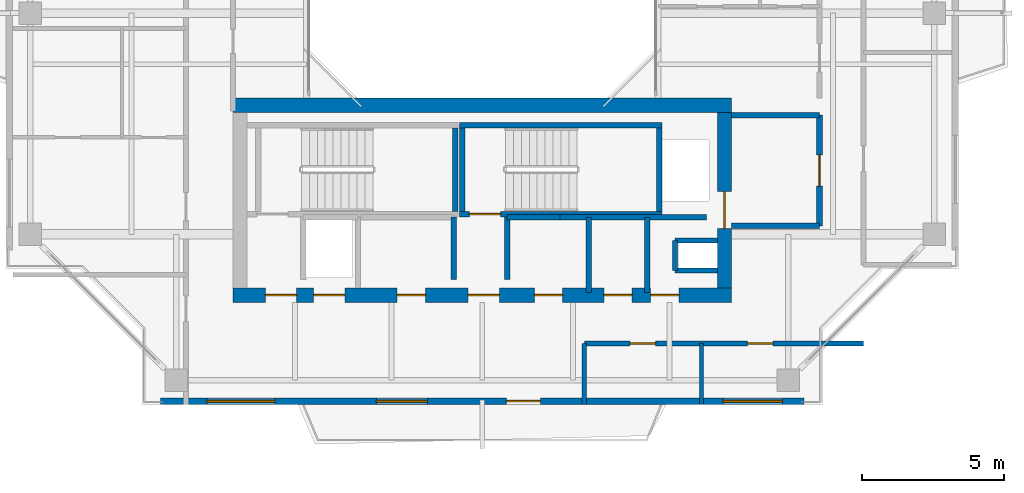
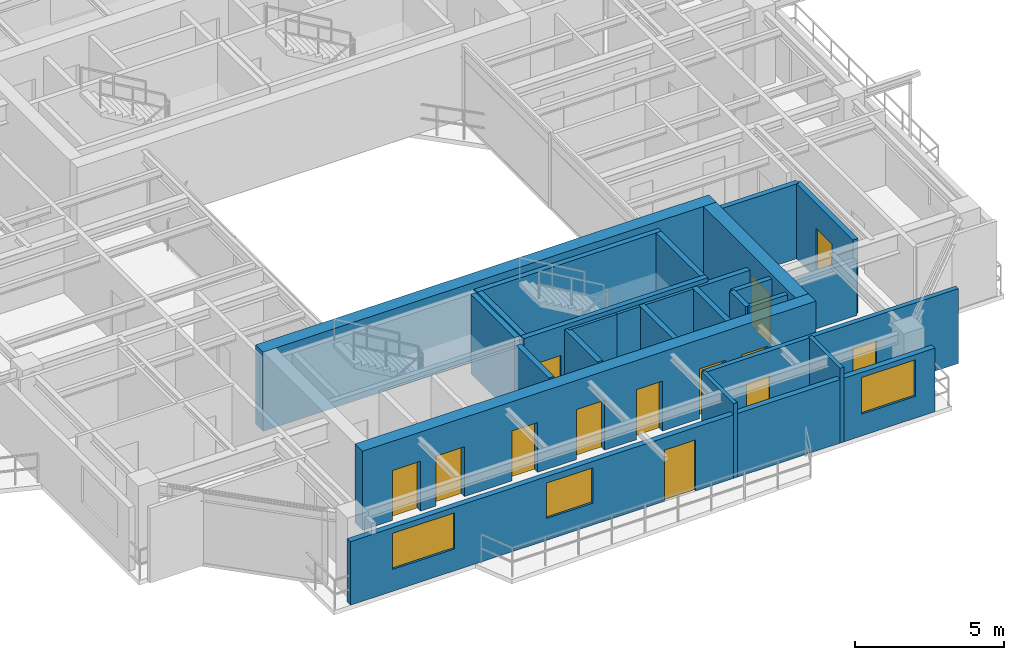
# One storey, part 10 of 15: 24 walls, 13 doors, 3 windows, 16 openings.
"""IFC4 building model written with IfcOpenShell, lengths in metres."""

from ifc_helpers import new_model, si_unit, direction, frame, frame_2d, origin, place, context, subcontext, project, spatial, rectangle, extrude, source, transform, mapped, material, layer, layer_set, type_object, element, fill, save


model = new_model("IFC4")

# Units and contexts
model_context = context("Model", 3, precision=1e-05, world=origin(), true_north=direction((0.0, 1.0)))
body_context = subcontext(model_context, "Body", "Model", "MODEL_VIEW")
ifc_project = project(units=[si_unit("LENGTHUNIT", "METRE"), si_unit("AREAUNIT", "SQUARE_METRE"), si_unit("VOLUMEUNIT", "CUBIC_METRE"), si_unit("PLANEANGLEUNIT", "RADIAN"), si_unit("MASSUNIT", "GRAM", prefix="KILO"), si_unit("THERMODYNAMICTEMPERATUREUNIT", "KELVIN"), si_unit("POWERUNIT", "WATT")], contexts=[model_context])

# Site, building, storey
site_placement = place(None, origin())
site = spatial("IfcSite", under=ifc_project, at=site_placement, CompositionType="ELEMENT")
building_placement = place(site_placement, origin())
building = spatial("IfcBuilding", under=site, at=building_placement, Name="Qiaomeng Ring Towers", CompositionType="ELEMENT")
storey_placement = place(building_placement, frame((0.0, 0.0, 200.25)))
storey = spatial("IfcBuildingStorey", under=building, at=storey_placement, Name="L58", CompositionType="ELEMENT", Elevation=200.25)

# Wall, openings, windows, door
ifc_material_1 = material(Name="Precast concrete C40", Category="concrete")
ifc_layer_1 = layer(ifc_material_1, 0.219970703125, Name="Precast concrete C40")
ifc_layer_set_1 = layer_set([ifc_layer_1], Name="Precast concrete C40")
wall_type_1 = type_object("IfcWallType", Name="ARC-WL-EW2", PredefinedType="STANDARD", material=ifc_layer_set_1)
wall_1_placement = place(storey_placement, frame((7.64990234375, 6.31005859375, 0.0), z_axis=(0.0, 0.0, 1.0), x_axis=(1.0, 0.0, 0.0)))
wall_1 = element("IfcWall", 1, at=wall_1_placement, inside=storey, type_object=wall_type_1, Name="L58 Tower 1 S Exterior Wall", PredefinedType="STANDARD", context=body_context, shape_type="SweptSolid", body=[
    extrude(rectangle(XDim=22.7001953125, YDim=0.219970703125, at=frame_2d((11.35009765625, 0.0))), origin(), (0.0, 0.0, 1.0), 2.610107421875),
])
opening_1_placement = place(wall_1_placement, frame((12.199951171875, 0.0, 0.0)))
opening_1 = element("IfcOpeningElement", 2, at=opening_1_placement, cuts=wall_1, Name="Opening BD1", PredefinedType="OPENING", context=body_context, shape_type="SweptSolid", body=[
    extrude(rectangle(XDim=1.199951171875, YDim=2.10009765625, at=frame_2d((0.60009765625, 1.050048828125))), frame((0.0, 0.119873046875, 0.0), z_axis=(0.0, -1.0, 0.0), x_axis=(1.0, 0.0, 0.0)), (0.0, 0.0, 1.0), 0.239990234375),
])
opening_2_placement = place(wall_1_placement, frame((1.636962890625, 0.0, 0.89990234375)))
opening_2 = element("IfcOpeningElement", 3, at=opening_2_placement, cuts=wall_1, Name="Opening WN6", PredefinedType="OPENING", context=body_context, shape_type="SweptSolid", body=[
    extrude(rectangle(XDim=2.39990234375, YDim=1.47998046875, at=frame_2d((1.199951171875, 0.739990234375))), frame((0.0, 0.119873046875, 0.0), z_axis=(0.0, -1.0, 0.0), x_axis=(1.0, 0.0, 0.0)), (0.0, 0.0, 1.0), 0.239990234375),
])
opening_3_placement = place(wall_1_placement, frame((7.612060546875, 0.0, 0.89990234375)))
opening_3 = element("IfcOpeningElement", 4, at=opening_3_placement, cuts=wall_1, Name="Opening WN1", PredefinedType="OPENING", context=body_context, shape_type="SweptSolid", body=[
    extrude(rectangle(XDim=1.800048828125, YDim=1.449951171875, at=frame_2d((0.89990234375, 0.72509765625))), frame((0.0, 0.119873046875, 0.0), z_axis=(0.0, -1.0, 0.0), x_axis=(1.0, 0.0, 0.0)), (0.0, 0.0, 1.0), 0.239990234375),
])
opening_4_placement = place(wall_1_placement, frame((19.83740234375, 0.0, 0.89990234375)))
opening_4 = element("IfcOpeningElement", 5, at=opening_4_placement, cuts=wall_1, Name="Opening WN4", PredefinedType="OPENING", context=body_context, shape_type="SweptSolid", body=[
    extrude(rectangle(XDim=2.10009765625, YDim=1.5, at=frame_2d((1.050048828125, 0.75))), frame((0.0, 0.119873046875, 0.0), z_axis=(0.0, -1.0, 0.0), x_axis=(1.0, 0.0, 0.0)), (0.0, 0.0, 1.0), 0.239990234375),
])
ifc_material_2 = material(Name="Low-E dark-grey laminated double glazing", Category="glass")
window_type_1 = type_object("IfcWindowType", Name="ARC-WN-4", PartitioningType="TRIPLE_PANEL_VERTICAL", PredefinedType="WINDOW", material=ifc_material_2)
shared_shape_1 = source(origin(), body_context, "Body", "SweptSolid", [
    extrude(rectangle(XDim=2.10009765625, YDim=1.5, at=frame_2d((1.050048828125, 0.75))), frame((0.0, 0.030029296875, 0.0), z_axis=(0.0, -1.0, 0.0), x_axis=(1.0, 0.0, 0.0)), (0.0, 0.0, 1.0), 0.06005859375),
])
window_1_placement = place(opening_4_placement, origin())
window_1 = element("IfcWindow", 6, at=window_1_placement, inside=storey, type_object=window_type_1, Name="L58 Exterior Window WN4", OverallHeight=1.5, OverallWidth=2.10009765625, PartitioningType="TRIPLE_PANEL_VERTICAL", PredefinedType="WINDOW", context=body_context, shape_type="MappedRepresentation", body=[
    mapped(shared_shape_1, transform((0.0, 0.0, 0.0), x_axis=(1.0, 0.0, 0.0), y_axis=(0.0, 1.0, 0.0), z_axis=(0.0, 0.0, 1.0), scale=1.0)),
])
fill(opening_4, window_1)
window_type_2 = type_object("IfcWindowType", Name="ARC-WN-1", PartitioningType="DOUBLE_PANEL_VERTICAL", PredefinedType="WINDOW", material=ifc_material_2)
shared_shape_2 = source(origin(), body_context, "Body", "SweptSolid", [
    extrude(rectangle(XDim=1.800048828125, YDim=1.449951171875, at=frame_2d((0.89990234375, 0.72509765625))), frame((0.0, 0.030029296875, 0.0), z_axis=(0.0, -1.0, 0.0), x_axis=(1.0, 0.0, 0.0)), (0.0, 0.0, 1.0), 0.06005859375),
])
window_2_placement = place(opening_3_placement, origin())
window_2 = element("IfcWindow", 7, at=window_2_placement, inside=storey, type_object=window_type_2, Name="L58 Exterior Window WN1", OverallHeight=1.449951171875, OverallWidth=1.800048828125, PartitioningType="DOUBLE_PANEL_VERTICAL", PredefinedType="WINDOW", context=body_context, shape_type="MappedRepresentation", body=[
    mapped(shared_shape_2, transform((0.0, 0.0, 0.0), x_axis=(1.0, 0.0, 0.0), y_axis=(0.0, 1.0, 0.0), z_axis=(0.0, 0.0, 1.0), scale=1.0)),
])
fill(opening_3, window_2)
window_type_3 = type_object("IfcWindowType", Name="ARC-WN-6", PartitioningType="TRIPLE_PANEL_VERTICAL", PredefinedType="WINDOW", material=ifc_material_2)
shared_shape_3 = source(origin(), body_context, "Body", "SweptSolid", [
    extrude(rectangle(XDim=2.39990234375, YDim=1.47998046875, at=frame_2d((1.199951171875, 0.739990234375))), frame((0.0, 0.030029296875, 0.0), z_axis=(0.0, -1.0, 0.0), x_axis=(1.0, 0.0, 0.0)), (0.0, 0.0, 1.0), 0.06005859375),
])
window_3_placement = place(opening_2_placement, origin())
window_3 = element("IfcWindow", 8, at=window_3_placement, inside=storey, type_object=window_type_3, Name="L58 Exterior Window WN6", OverallHeight=1.47998046875, OverallWidth=2.39990234375, PartitioningType="TRIPLE_PANEL_VERTICAL", PredefinedType="WINDOW", context=body_context, shape_type="MappedRepresentation", body=[
    mapped(shared_shape_3, transform((0.0, 0.0, 0.0), x_axis=(1.0, 0.0, 0.0), y_axis=(0.0, 1.0, 0.0), z_axis=(0.0, 0.0, 1.0), scale=1.0)),
])
fill(opening_2, window_3)
door_type_1 = type_object("IfcDoorType", Name="ARC-DR-BD1", OperationType="NOTDEFINED", PredefinedType="DOOR", material=ifc_material_2)
shared_shape_4 = source(origin(), body_context, "Body", "SweptSolid", [
    extrude(rectangle(XDim=1.199951171875, YDim=2.10009765625, at=frame_2d((0.60009765625, 1.050048828125))), frame((0.0, 0.02490234375, 0.0), z_axis=(0.0, -1.0, 0.0), x_axis=(1.0, 0.0, 0.0)), (0.0, 0.0, 1.0), 0.050048828125),
])
door_1_placement = place(opening_1_placement, frame((1.199951171875, 0.0, 0.0), z_axis=(0.0, 0.0, 1.0), x_axis=(-1.0, 0.0, 0.0)))
door_1 = element("IfcDoor", 9, at=door_1_placement, inside=storey, type_object=door_type_1, Name="L58 S Balcony Glazed Door", OperationType="SINGLE_SWING_LEFT", OverallHeight=2.10009765625, OverallWidth=1.199951171875, PredefinedType="DOOR", context=body_context, shape_type="MappedRepresentation", body=[
    mapped(shared_shape_4, transform((0.0, 0.0, 0.0), x_axis=(1.0, 0.0, 0.0), y_axis=(0.0, 1.0, 0.0), z_axis=(0.0, 0.0, 1.0), scale=1.0)),
])
fill(opening_1, door_1)

# Walls
ifc_material_3 = material(Name="Autoclaved aerated concrete block", Category="concrete")
ifc_layer_2 = layer(ifc_material_3, 0.199951171875, Name="Autoclaved aerated concrete block")
ifc_layer_set_2 = layer_set([ifc_layer_2], Name="Autoclaved aerated concrete block")
wall_type_2 = type_object("IfcWallType", Name="ARC-WL-PW1", PredefinedType="PARTITIONING", material=ifc_layer_set_2)
wall_2_placement = place(storey_placement, frame((27.800048828125, 16.39990234375, 0.0), z_axis=(0.0, 0.0, 1.0), x_axis=(1.0, 0.0, 0.0)))
element("IfcWall", 10, at=wall_2_placement, inside=storey, type_object=wall_type_2, Name="L58 Interior Wall PW1", PredefinedType="PARTITIONING", context=body_context, shape_type="SweptSolid", body=[
    extrude(rectangle(XDim=3.099853515625, YDim=0.199951171875, at=frame_2d((1.5498046875, 0.0))), origin(), (0.0, 0.0, 1.0), 3.070068359375),
])
wall_3_placement = place(storey_placement, frame((27.800048828125, 12.5, 0.0), z_axis=(0.0, 0.0, 1.0), x_axis=(1.0, 0.0, 0.0)))
element("IfcWall", 11, at=wall_3_placement, inside=storey, type_object=wall_type_2, Name="L58 Interior Wall PW1", PredefinedType="PARTITIONING", context=body_context, shape_type="SweptSolid", body=[
    extrude(rectangle(XDim=3.099853515625, YDim=0.199951171875, at=frame_2d((1.5498046875, 0.0))), origin(), (0.0, 0.0, 1.0), 2.264892578125),
])

# Wall, opening, door
wall_4_placement = place(storey_placement, frame((30.89990234375, 12.5, 0.0), z_axis=(0.0, 0.0, 1.0), x_axis=(0.0, 1.0, 0.0)))
wall_4 = element("IfcWall", 12, at=wall_4_placement, inside=storey, type_object=wall_type_2, Name="L58 Interior Wall PW1", PredefinedType="PARTITIONING", context=body_context, shape_type="SweptSolid", body=[
    extrude(rectangle(XDim=3.89990234375, YDim=0.199951171875, at=frame_2d((1.949951171875, 0.0))), origin(), (0.0, 0.0, 1.0), 3.070068359375),
])
opening_5_placement = place(wall_4_placement, frame((1.39990234375, 0.0, 0.0)))
opening_5 = element("IfcOpeningElement", 13, at=opening_5_placement, cuts=wall_4, Name="Opening FD3", PredefinedType="OPENING", context=body_context, shape_type="SweptSolid", body=[
    extrude(rectangle(XDim=1.10009765625, YDim=2.050048828125, at=frame_2d((0.550048828125, 1.02490234375))), frame((0.0, 0.10986328125, 0.0), z_axis=(0.0, -1.0, 0.0), x_axis=(1.0, 0.0, 0.0)), (0.0, 0.0, 1.0), 0.219970703125),
])
ifc_material_4 = material(Name="Galvanised steel", Category="steel")
door_type_2 = type_object("IfcDoorType", Name="ARC-DR-FD3", OperationType="NOTDEFINED", PredefinedType="DOOR", material=ifc_material_4)
shared_shape_5 = source(origin(), body_context, "Body", "SweptSolid", [
    extrude(rectangle(XDim=1.10009765625, YDim=2.050048828125, at=frame_2d((0.550048828125, 1.02490234375))), frame((0.0, 0.02490234375, 0.0), z_axis=(0.0, -1.0, 0.0), x_axis=(1.0, 0.0, 0.0)), (0.0, 0.0, 1.0), 0.050048828125),
])
door_2_placement = place(opening_5_placement, origin())
door_2 = element("IfcDoor", 14, at=door_2_placement, inside=storey, type_object=door_type_2, Name="L58 South FF Lobby Door", OperationType="SINGLE_SWING_LEFT", OverallHeight=2.050048828125, OverallWidth=1.10009765625, PredefinedType="DOOR", context=body_context, shape_type="MappedRepresentation", body=[
    mapped(shared_shape_5, transform((0.0, 0.0, 0.0), x_axis=(1.0, 0.0, 0.0), y_axis=(0.0, 1.0, 0.0), z_axis=(0.0, 0.0, 1.0), scale=1.0)),
])
fill(opening_5, door_2)

# Walls
for number, where, z_axis, x_axis, name in (
    (15, (18.0, 10.60009765625, 0.0), (0.0, 0.0, 1.0), (0.0, 1.0, 0.0), "L58 Interior Wall PW1"),
    (16, (19.8798828125, 10.60009765625, 0.0), (0.0, 0.0, 1.0), (0.0, 1.0, 0.0), "L58 Interior Wall PW1"),
):
    element("IfcWall", number, at=place(storey_placement, frame(where, z_axis=z_axis, x_axis=x_axis)), inside=storey, type_object=wall_type_2, Name=name, PredefinedType="PARTITIONING", context=body_context, shape_type="SweptSolid", body=[
        extrude(rectangle(XDim=2.2099609375, YDim=0.199951171875, at=frame_2d((1.10498046875, 0.0))), origin(), (0.0, 0.0, 1.0), 3.070068359375),
    ])
wall_5_placement = place(storey_placement, frame((24.820068359375, 10.14990234375, 0.0), z_axis=(0.0, 0.0, 1.0), x_axis=(0.0, 1.0, 0.0)))
element("IfcWall", 17, at=wall_5_placement, inside=storey, type_object=wall_type_2, Name="L58 Interior Wall PW1", PredefinedType="PARTITIONING", context=body_context, shape_type="SweptSolid", body=[
    extrude(rectangle(XDim=2.650146484375, YDim=0.199951171875, at=frame_2d((1.3251953125, 0.0))), origin(), (0.0, 0.0, 1.0), 3.070068359375),
])
wall_6_placement = place(storey_placement, frame((19.8798828125, 12.800048828125, 0.0), z_axis=(0.0, 0.0, 1.0), x_axis=(1.0, 0.0, 0.0)))
element("IfcWall", 18, at=wall_6_placement, inside=storey, type_object=wall_type_2, Name="L58 Interior Wall PW1", PredefinedType="PARTITIONING", context=body_context, shape_type="SweptSolid", body=[
    extrude(rectangle(XDim=1.8701171875, YDim=0.199951171875, at=frame_2d((0.93505859375, 0.0))), origin(), (0.0, 0.0, 1.0), 3.070068359375),
])
wall_7_placement = place(storey_placement, frame((22.760009765625, 10.14990234375, 0.0), z_axis=(0.0, 0.0, 1.0), x_axis=(0.0, 1.0, 0.0)))
element("IfcWall", 19, at=wall_7_placement, inside=storey, type_object=wall_type_2, Name="L58 Interior Wall PW1", PredefinedType="PARTITIONING", context=body_context, shape_type="SweptSolid", body=[
    extrude(rectangle(XDim=2.650146484375, YDim=0.199951171875, at=frame_2d((1.3251953125, 0.0))), origin(), (0.0, 0.0, 1.0), 3.070068359375),
])
wall_8_placement = place(storey_placement, frame((21.75, 12.800048828125, 0.0), z_axis=(0.0, 0.0, 1.0), x_axis=(1.0, 0.0, 0.0)))
element("IfcWall", 20, at=wall_8_placement, inside=storey, type_object=wall_type_2, Name="L58 Interior Wall PW1", PredefinedType="PARTITIONING", context=body_context, shape_type="SweptSolid", body=[
    extrude(rectangle(XDim=5.169921875, YDim=0.199951171875, at=frame_2d((2.5849609375, 0.0))), origin(), (0.0, 0.0, 1.0), 3.070068359375),
])

# Wall, openings, doors
ifc_layer_3 = layer(ifc_material_3, 0.179931640625, Name="Autoclaved aerated concrete block")
ifc_layer_set_3 = layer_set([ifc_layer_3], Name="Autoclaved aerated concrete block")
wall_type_3 = type_object("IfcWallType", Name="ARC-WL-PW2", PredefinedType="PARTITIONING", material=ifc_layer_set_3)
wall_9_placement = place(storey_placement, frame((22.60009765625, 8.35009765625, 0.0), z_axis=(0.0, 0.0, 1.0), x_axis=(1.0, 0.0, 0.0)))
wall_9 = element("IfcWall", 21, at=wall_9_placement, inside=storey, type_object=wall_type_3, Name="L58 Interior Wall PW2", PredefinedType="PARTITIONING", context=body_context, shape_type="SweptSolid", body=[
    extrude(rectangle(XDim=9.849853515625, YDim=0.179931640625, at=frame_2d((4.9248046875, 0.0))), origin(), (0.0, 0.0, 1.0), 3.070068359375),
])
opening_6_placement = place(wall_9_placement, frame((1.6201171875, 0.0, 0.0)))
opening_6 = element("IfcOpeningElement", 22, at=opening_6_placement, cuts=wall_9, Name="Opening ID1", PredefinedType="OPENING", context=body_context, shape_type="SweptSolid", body=[
    extrude(rectangle(XDim=0.89990234375, YDim=2.050048828125, at=frame_2d((0.449951171875, 1.02490234375))), frame((0.0, 0.099853515625, 0.0), z_axis=(0.0, -1.0, 0.0), x_axis=(1.0, 0.0, 0.0)), (0.0, 0.0, 1.0), 0.199951171875),
])
opening_7_placement = place(wall_9_placement, frame((5.760009765625, 0.0, 0.0)))
opening_7 = element("IfcOpeningElement", 23, at=opening_7_placement, cuts=wall_9, Name="Opening ID1", PredefinedType="OPENING", context=body_context, shape_type="SweptSolid", body=[
    extrude(rectangle(XDim=0.89990234375, YDim=2.050048828125, at=frame_2d((0.449951171875, 1.02490234375))), frame((0.0, 0.099853515625, 0.0), z_axis=(0.0, -1.0, 0.0), x_axis=(1.0, 0.0, 0.0)), (0.0, 0.0, 1.0), 0.199951171875),
])
ifc_material_5 = material(Name="Engineered oak timber", Category="wood")
door_type_3 = type_object("IfcDoorType", Name="ARC-DR-ID1", OperationType="NOTDEFINED", PredefinedType="DOOR", material=ifc_material_5)
shared_shape_6 = source(origin(), body_context, "Body", "SweptSolid", [
    extrude(rectangle(XDim=0.89990234375, YDim=2.050048828125, at=frame_2d((0.449951171875, 1.02490234375))), frame((0.0, 0.02490234375, 0.0), z_axis=(0.0, -1.0, 0.0), x_axis=(1.0, 0.0, 0.0)), (0.0, 0.0, 1.0), 0.050048828125),
])
door_3_placement = place(opening_6_placement, origin())
door_3 = element("IfcDoor", 24, at=door_3_placement, inside=storey, type_object=door_type_3, Name="L58 Door ID1", OperationType="SINGLE_SWING_RIGHT", OverallHeight=2.050048828125, OverallWidth=0.89990234375, PredefinedType="DOOR", context=body_context, shape_type="MappedRepresentation", body=[
    mapped(shared_shape_6, transform((0.0, 0.0, 0.0), x_axis=(1.0, 0.0, 0.0), y_axis=(0.0, 1.0, 0.0), z_axis=(0.0, 0.0, 1.0), scale=1.0)),
])
fill(opening_6, door_3)
door_4_placement = place(opening_7_placement, origin())
door_4 = element("IfcDoor", 25, at=door_4_placement, inside=storey, type_object=door_type_3, Name="L58 Door ID1", OperationType="SINGLE_SWING_LEFT", OverallHeight=2.050048828125, OverallWidth=0.89990234375, PredefinedType="DOOR", context=body_context, shape_type="MappedRepresentation", body=[
    mapped(shared_shape_6, transform((0.0, 0.0, 0.0), x_axis=(1.0, 0.0, 0.0), y_axis=(0.0, 1.0, 0.0), z_axis=(0.0, 0.0, 1.0), scale=1.0)),
])
fill(opening_7, door_4)

# Walls
ifc_material_6 = material(Name="Gypsum fireboard steel-stud partition", Category="steel")
ifc_layer_4 = layer(ifc_material_6, 0.14990234375, Name="Gypsum fireboard steel-stud partition")
ifc_layer_set_4 = layer_set([ifc_layer_4], Name="Gypsum fireboard steel-stud partition")
wall_type_4 = type_object("IfcWallType", Name="ARC-WL-PW3", PredefinedType="PARTITIONING", material=ifc_layer_set_4)
for number, where, z_axis, x_axis, name in (
    (26, (22.60009765625, 6.199951171875, 0.0), (0.0, 0.0, 1.0), (0.0, 1.0, 0.0), "L58 Interior Wall PW3"),
    (27, (26.739990234375, 6.199951171875, 0.0), (0.0, 0.0, 1.0), (0.0, 1.0, 0.0), "L58 Interior Wall PW3"),
):
    element("IfcWall", number, at=place(storey_placement, frame(where, z_axis=z_axis, x_axis=x_axis)), inside=storey, type_object=wall_type_4, Name=name, PredefinedType="PARTITIONING", context=body_context, shape_type="SweptSolid", body=[
        extrude(rectangle(XDim=2.150146484375, YDim=0.14990234375, at=frame_2d((1.0751953125, 0.0))), origin(), (0.0, 0.0, 1.0), 3.070068359375),
    ])
ifc_material_7 = material(Name="Concrete C40", Category="concrete")
ifc_layer_5 = layer(ifc_material_7, 0.199951171875, Name="Concrete C40")
ifc_layer_set_5 = layer_set([ifc_layer_5], Name="Concrete C40")
wall_type_5 = type_object("IfcWallType", Name="STR-WL-STSHAFT", PredefinedType="SHEAR", material=ifc_layer_set_5)
wall_10_placement = place(storey_placement, frame((25.800048828125, 10.919921875, 0.0), z_axis=(0.0, 0.0, 1.0), x_axis=(0.0, 1.0, 0.0)))
element("IfcWall", 28, at=wall_10_placement, inside=storey, type_object=wall_type_5, Name="L58 Riser RSR1 West Shaft Wall S", PredefinedType="SHEAR", context=body_context, shape_type="SweptSolid", body=[
    extrude(rectangle(XDim=1.06005859375, YDim=0.179931640625, at=frame_2d((0.530029296875, 0.0))), origin(), (0.0, 0.0, 1.0), 3.070068359375),
])
for number, where, z_axis, x_axis, name in (
    (29, (25.800048828125, 11.97998046875, 0.0), (0.0, 0.0, 1.0), (1.0, 0.0, 0.0), "L58 Riser RSR1 North Shaft Wall S"),
    (30, (25.800048828125, 10.919921875, 0.0), (0.0, 0.0, 1.0), (1.0, 0.0, 0.0), "L58 Riser RSR1 South Shaft Wall S"),
):
    element("IfcWall", number, at=place(storey_placement, frame(where, z_axis=z_axis, x_axis=x_axis)), inside=storey, type_object=wall_type_5, Name=name, PredefinedType="SHEAR", context=body_context, shape_type="SweptSolid", body=[
        extrude(rectangle(XDim=1.5, YDim=0.179931640625, at=frame_2d((0.75, 0.0))), origin(), (0.0, 0.0, 1.0), 3.070068359375),
    ])
wall_11_placement = place(storey_placement, frame((18.050048828125, 13.010009765625, 0.0), z_axis=(0.0, 0.0, 1.0), x_axis=(0.0, 1.0, 0.0)))
element("IfcWall", 31, at=wall_11_placement, inside=storey, type_object=wall_type_5, Name="L58 Stair ST3 East Shaft Shear Wall", PredefinedType="SHEAR", context=body_context, shape_type="SweptSolid", body=[
    extrude(rectangle(XDim=2.93994140625, YDim=0.199951171875, at=frame_2d((1.469970703125, 0.0))), origin(), (0.0, 0.0, 1.0), 3.25),
])

# Wall, opening, door
wall_12_placement = place(storey_placement, frame((18.199951171875, 12.909912109375, 0.0), z_axis=(0.0, 0.0, 1.0), x_axis=(1.0, 0.0, 0.0)))
wall_12 = element("IfcWall", 32, at=wall_12_placement, inside=storey, type_object=wall_type_5, Name="L58 Stair ST4 South Shaft Shear Wall", PredefinedType="SHEAR", context=body_context, shape_type="SweptSolid", body=[
    extrude(rectangle(XDim=7.150146484375, YDim=0.199951171875, at=frame_2d((3.5751953125, 0.0))), origin(), (0.0, 0.0, 1.0), 3.25),
])
opening_8_placement = place(wall_12_placement, frame((0.35009765625, 0.0, 0.0)))
opening_8 = element("IfcOpeningElement", 33, at=opening_8_placement, cuts=wall_12, Name="Opening FD3", PredefinedType="OPENING", context=body_context, shape_type="SweptSolid", body=[
    extrude(rectangle(XDim=1.10009765625, YDim=2.050048828125, at=frame_2d((0.550048828125, 1.02490234375))), frame((0.0, 0.10986328125, 0.0), z_axis=(0.0, -1.0, 0.0), x_axis=(1.0, 0.0, 0.0)), (0.0, 0.0, 1.0), 0.219970703125),
])
door_5_placement = place(opening_8_placement, frame((1.10009765625, 0.0, 0.0), z_axis=(0.0, 0.0, 1.0), x_axis=(-1.0, 0.0, 0.0)))
door_5 = element("IfcDoor", 34, at=door_5_placement, inside=storey, type_object=door_type_2, Name="L58 Stair ST4 Exit Door", OperationType="SINGLE_SWING_LEFT", OverallHeight=2.050048828125, OverallWidth=1.10009765625, PredefinedType="DOOR", context=body_context, shape_type="MappedRepresentation", body=[
    mapped(shared_shape_5, transform((0.0, 0.0, 0.0), x_axis=(1.0, 0.0, 0.0), y_axis=(0.0, 1.0, 0.0), z_axis=(0.0, 0.0, 1.0), scale=1.0)),
])
fill(opening_8, door_5)

# Walls
wall_13_placement = place(storey_placement, frame((18.199951171875, 16.050048828125, 0.0), z_axis=(0.0, 0.0, 1.0), x_axis=(1.0, 0.0, 0.0)))
element("IfcWall", 35, at=wall_13_placement, inside=storey, type_object=wall_type_5, Name="L58 Stair ST4 North Shaft Shear Wall", PredefinedType="SHEAR", context=body_context, shape_type="SweptSolid", body=[
    extrude(rectangle(XDim=7.150146484375, YDim=0.199951171875, at=frame_2d((3.5751953125, 0.0))), origin(), (0.0, 0.0, 1.0), 3.25),
])
for number, where, z_axis, x_axis, name in (
    (36, (18.300048828125, 13.010009765625, 0.0), (0.0, 0.0, 1.0), (0.0, 1.0, 0.0), "L58 Stair ST4 West Shaft Shear Wall"),
    (37, (25.25, 13.010009765625, 0.0), (0.0, 0.0, 1.0), (0.0, 1.0, 0.0), "L58 Stair ST4 East Shaft Shear Wall"),
):
    element("IfcWall", number, at=place(storey_placement, frame(where, z_axis=z_axis, x_axis=x_axis)), inside=storey, type_object=wall_type_5, Name=name, PredefinedType="SHEAR", context=body_context, shape_type="SweptSolid", body=[
        extrude(rectangle(XDim=2.93994140625, YDim=0.199951171875, at=frame_2d((1.469970703125, 0.0))), origin(), (0.0, 0.0, 1.0), 3.25),
    ])

# Wall, openings, doors
ifc_layer_6 = layer(ifc_material_7, 0.5, Name="Concrete C40")
ifc_layer_set_6 = layer_set([ifc_layer_6], Name="Concrete C40")
wall_type_6 = type_object("IfcWallType", Name="STR-WL-SW3", PredefinedType="SHEAR", material=ifc_layer_set_6)
wall_14_placement = place(storey_placement, frame((10.199951171875, 10.050048828125, 0.0), z_axis=(0.0, 0.0, 1.0), x_axis=(1.0, 0.0, 0.0)))
wall_14 = element("IfcWall", 38, at=wall_14_placement, inside=storey, type_object=wall_type_6, Name="L58 T1SC south core shear wall", PredefinedType="SHEAR", context=body_context, shape_type="SweptSolid", body=[
    extrude(rectangle(XDim=17.60009765625, YDim=0.5, at=frame_2d((8.800048828125, 0.0))), origin(), (0.0, 0.0, 1.0), 3.25),
])
opening_9_placement = place(wall_14_placement, frame((1.14990234375, 0.0, 0.0)))
opening_9 = element("IfcOpeningElement", 39, at=opening_9_placement, cuts=wall_14, Name="Opening FD3", PredefinedType="OPENING", context=body_context, shape_type="SweptSolid", body=[
    extrude(rectangle(XDim=1.10009765625, YDim=2.050048828125, at=frame_2d((0.550048828125, 1.02490234375))), frame((0.0, 0.260009765625, 0.0), z_axis=(0.0, -1.0, 0.0), x_axis=(1.0, 0.0, 0.0)), (0.0, 0.0, 1.0), 0.52001953125),
])
opening_10_placement = place(wall_14_placement, frame((8.300048828125, 0.0, 0.0)))
opening_10 = element("IfcOpeningElement", 40, at=opening_10_placement, cuts=wall_14, Name="Opening FD3", PredefinedType="OPENING", context=body_context, shape_type="SweptSolid", body=[
    extrude(rectangle(XDim=1.10009765625, YDim=2.050048828125, at=frame_2d((0.550048828125, 1.02490234375))), frame((0.0, 0.260009765625, 0.0), z_axis=(0.0, -1.0, 0.0), x_axis=(1.0, 0.0, 0.0)), (0.0, 0.0, 1.0), 0.52001953125),
])
opening_11_placement = place(wall_14_placement, frame((2.85009765625, 0.0, 0.0)))
opening_11 = element("IfcOpeningElement", 41, at=opening_11_placement, cuts=wall_14, Name="Opening LD1", PredefinedType="OPENING", context=body_context, shape_type="SweptSolid", body=[
    extrude(rectangle(XDim=1.10009765625, YDim=2.050048828125, at=frame_2d((0.550048828125, 1.02490234375))), frame((0.0, 0.260009765625, 0.0), z_axis=(0.0, -1.0, 0.0), x_axis=(1.0, 0.0, 0.0)), (0.0, 0.0, 1.0), 0.52001953125),
])
opening_12_placement = place(wall_14_placement, frame((5.800048828125, 0.0, 0.0)))
opening_12 = element("IfcOpeningElement", 42, at=opening_12_placement, cuts=wall_14, Name="Opening FD1", PredefinedType="OPENING", context=body_context, shape_type="SweptSolid", body=[
    extrude(rectangle(XDim=1.0, YDim=2.050048828125, at=frame_2d((0.5, 1.02490234375))), frame((0.0, 0.260009765625, 0.0), z_axis=(0.0, -1.0, 0.0), x_axis=(1.0, 0.0, 0.0)), (0.0, 0.0, 1.0), 0.52001953125),
])
opening_13_placement = place(wall_14_placement, frame((14.739990234375, 0.0, 0.0)))
opening_13 = element("IfcOpeningElement", 43, at=opening_13_placement, cuts=wall_14, Name="Opening FD1", PredefinedType="OPENING", context=body_context, shape_type="SweptSolid", body=[
    extrude(rectangle(XDim=1.0, YDim=2.050048828125, at=frame_2d((0.5, 1.02490234375))), frame((0.0, 0.260009765625, 0.0), z_axis=(0.0, -1.0, 0.0), x_axis=(1.0, 0.0, 0.0)), (0.0, 0.0, 1.0), 0.52001953125),
])
opening_14_placement = place(wall_14_placement, frame((10.639892578125, 0.0, 0.0)))
opening_14 = element("IfcOpeningElement", 44, at=opening_14_placement, cuts=wall_14, Name="Opening FD1", PredefinedType="OPENING", context=body_context, shape_type="SweptSolid", body=[
    extrude(rectangle(XDim=1.0, YDim=2.050048828125, at=frame_2d((0.5, 1.02490234375))), frame((0.0, 0.260009765625, 0.0), z_axis=(0.0, -1.0, 0.0), x_axis=(1.0, 0.0, 0.0)), (0.0, 0.0, 1.0), 0.52001953125),
])
opening_15_placement = place(wall_14_placement, frame((13.090087890625, 0.0, 0.0)))
opening_15 = element("IfcOpeningElement", 45, at=opening_15_placement, cuts=wall_14, Name="Opening FD1", PredefinedType="OPENING", context=body_context, shape_type="SweptSolid", body=[
    extrude(rectangle(XDim=1.0, YDim=2.050048828125, at=frame_2d((0.5, 1.02490234375))), frame((0.0, 0.260009765625, 0.0), z_axis=(0.0, -1.0, 0.0), x_axis=(1.0, 0.0, 0.0)), (0.0, 0.0, 1.0), 0.52001953125),
])
door_6_placement = place(opening_9_placement, origin())
door_6 = element("IfcDoor", 46, at=door_6_placement, inside=storey, type_object=door_type_2, Name="L58 Stair ST3 Lobby Door", OperationType="SINGLE_SWING_RIGHT", OverallHeight=2.050048828125, OverallWidth=1.10009765625, PredefinedType="DOOR", context=body_context, shape_type="MappedRepresentation", body=[
    mapped(shared_shape_5, transform((0.0, 0.0, 0.0), x_axis=(1.0, 0.0, 0.0), y_axis=(0.0, 1.0, 0.0), z_axis=(0.0, 0.0, 1.0), scale=1.0)),
])
fill(opening_9, door_6)
door_7_placement = place(opening_10_placement, origin())
door_7 = element("IfcDoor", 47, at=door_7_placement, inside=storey, type_object=door_type_2, Name="L58 Stair ST4 Lobby Door", OperationType="SINGLE_SWING_RIGHT", OverallHeight=2.050048828125, OverallWidth=1.10009765625, PredefinedType="DOOR", context=body_context, shape_type="MappedRepresentation", body=[
    mapped(shared_shape_5, transform((0.0, 0.0, 0.0), x_axis=(1.0, 0.0, 0.0), y_axis=(0.0, 1.0, 0.0), z_axis=(0.0, 0.0, 1.0), scale=1.0)),
])
fill(opening_10, door_7)
ifc_material_8 = material(Name="Stainless steel 316", Category="steel")
door_type_4 = type_object("IfcDoorType", Name="ARC-DR-LD1", OperationType="NOTDEFINED", PredefinedType="DOOR", material=ifc_material_8)
door_8_placement = place(opening_11_placement, origin())
door_8 = element("IfcDoor", 48, at=door_8_placement, inside=storey, type_object=door_type_4, Name="L58 High-Zone Lift LP6 Landing Door", OperationType="SLIDING_TO_RIGHT", OverallHeight=2.050048828125, OverallWidth=1.10009765625, PredefinedType="DOOR", context=body_context, shape_type="MappedRepresentation", body=[
    mapped(shared_shape_5, transform((0.0, 0.0, 0.0), x_axis=(1.0, 0.0, 0.0), y_axis=(0.0, 1.0, 0.0), z_axis=(0.0, 0.0, 1.0), scale=1.0)),
])
fill(opening_11, door_8)
door_type_5 = type_object("IfcDoorType", Name="ARC-DR-FD1", OperationType="NOTDEFINED", PredefinedType="DOOR", material=ifc_material_4)
shared_shape_7 = source(origin(), body_context, "Body", "SweptSolid", [
    extrude(rectangle(XDim=1.0, YDim=2.050048828125, at=frame_2d((0.5, 1.02490234375))), frame((0.0, 0.02490234375, 0.0), z_axis=(0.0, -1.0, 0.0), x_axis=(1.0, 0.0, 0.0)), (0.0, 0.0, 1.0), 0.050048828125),
])
door_9_placement = place(opening_12_placement, origin())
door_9 = element("IfcDoor", 49, at=door_9_placement, inside=storey, type_object=door_type_5, Name="L58 High-Zone Freed Core Room Door", OperationType="SINGLE_SWING_RIGHT", OverallHeight=2.050048828125, OverallWidth=1.0, PredefinedType="DOOR", context=body_context, shape_type="MappedRepresentation", body=[
    mapped(shared_shape_7, transform((0.0, 0.0, 0.0), x_axis=(1.0, 0.0, 0.0), y_axis=(0.0, 1.0, 0.0), z_axis=(0.0, 0.0, 1.0), scale=1.0)),
])
fill(opening_12, door_9)
door_10_placement = place(opening_13_placement, origin())
door_10 = element("IfcDoor", 50, at=door_10_placement, inside=storey, type_object=door_type_5, Name="L58 South Electrical Riser Door", OperationType="SINGLE_SWING_RIGHT", OverallHeight=2.050048828125, OverallWidth=1.0, PredefinedType="DOOR", context=body_context, shape_type="MappedRepresentation", body=[
    mapped(shared_shape_7, transform((0.0, 0.0, 0.0), x_axis=(1.0, 0.0, 0.0), y_axis=(0.0, 1.0, 0.0), z_axis=(0.0, 0.0, 1.0), scale=1.0)),
])
fill(opening_13, door_10)
door_11_placement = place(opening_14_placement, origin())
door_11 = element("IfcDoor", 51, at=door_11_placement, inside=storey, type_object=door_type_5, Name="L58 South Telemetry Study Door", OperationType="SINGLE_SWING_LEFT", OverallHeight=2.050048828125, OverallWidth=1.0, PredefinedType="DOOR", context=body_context, shape_type="MappedRepresentation", body=[
    mapped(shared_shape_7, transform((0.0, 0.0, 0.0), x_axis=(1.0, 0.0, 0.0), y_axis=(0.0, 1.0, 0.0), z_axis=(0.0, 0.0, 1.0), scale=1.0)),
])
fill(opening_14, door_11)
door_12_placement = place(opening_15_placement, origin())
door_12 = element("IfcDoor", 52, at=door_12_placement, inside=storey, type_object=door_type_5, Name="L58 South Staff Pantry Door", OperationType="SINGLE_SWING_RIGHT", OverallHeight=2.050048828125, OverallWidth=1.0, PredefinedType="DOOR", context=body_context, shape_type="MappedRepresentation", body=[
    mapped(shared_shape_7, transform((0.0, 0.0, 0.0), x_axis=(1.0, 0.0, 0.0), y_axis=(0.0, 1.0, 0.0), z_axis=(0.0, 0.0, 1.0), scale=1.0)),
])
fill(opening_15, door_12)

# Wall
wall_15_placement = place(storey_placement, frame((10.199951171875, 16.75, 0.0), z_axis=(0.0, 0.0, 1.0), x_axis=(1.0, 0.0, 0.0)))
element("IfcWall", 53, at=wall_15_placement, inside=storey, type_object=wall_type_6, Name="L58 T1SC north core shear wall", PredefinedType="SHEAR", context=body_context, shape_type="SweptSolid", body=[
    extrude(rectangle(XDim=17.60009765625, YDim=0.5, at=frame_2d((8.800048828125, 0.0))), origin(), (0.0, 0.0, 1.0), 3.25),
])

# Wall, opening, door
wall_16_placement = place(storey_placement, frame((27.550048828125, 10.300048828125, 0.0), z_axis=(0.0, 0.0, 1.0), x_axis=(0.0, 1.0, 0.0)))
wall_16 = element("IfcWall", 54, at=wall_16_placement, inside=storey, type_object=wall_type_6, Name="L58 T1SC east core shear wall", PredefinedType="SHEAR", context=body_context, shape_type="SweptSolid", body=[
    extrude(rectangle(XDim=6.199951171875, YDim=0.5, at=frame_2d((3.10009765625, 0.0))), origin(), (0.0, 0.0, 1.0), 3.25),
])
opening_16_placement = place(wall_16_placement, frame((2.10009765625, 0.0, 0.0)))
opening_16 = element("IfcOpeningElement", 55, at=opening_16_placement, cuts=wall_16, Name="Opening LD2", PredefinedType="OPENING", context=body_context, shape_type="SweptSolid", body=[
    extrude(rectangle(XDim=1.300048828125, YDim=2.050048828125, at=frame_2d((0.64990234375, 1.02490234375))), frame((0.0, 0.260009765625, 0.0), z_axis=(0.0, -1.0, 0.0), x_axis=(1.0, 0.0, 0.0)), (0.0, 0.0, 1.0), 0.52001953125),
])
door_type_6 = type_object("IfcDoorType", Name="ARC-DR-LD2", OperationType="NOTDEFINED", PredefinedType="DOOR", material=ifc_material_8)
shared_shape_8 = source(origin(), body_context, "Body", "SweptSolid", [
    extrude(rectangle(XDim=1.300048828125, YDim=2.050048828125, at=frame_2d((0.64990234375, 1.02490234375))), frame((0.0, 0.02490234375, 0.0), z_axis=(0.0, -1.0, 0.0), x_axis=(1.0, 0.0, 0.0)), (0.0, 0.0, 1.0), 0.050048828125),
])
door_13_placement = place(opening_16_placement, origin())
door_13 = element("IfcDoor", 56, at=door_13_placement, inside=storey, type_object=door_type_6, Name="L58 Firefighting Lift FL2 Landing Door", OperationType="SLIDING_TO_RIGHT", OverallHeight=2.050048828125, OverallWidth=1.300048828125, PredefinedType="DOOR", context=body_context, shape_type="MappedRepresentation", body=[
    mapped(shared_shape_8, transform((0.0, 0.0, 0.0), x_axis=(1.0, 0.0, 0.0), y_axis=(0.0, 1.0, 0.0), z_axis=(0.0, 0.0, 1.0), scale=1.0)),
])
fill(opening_16, door_13)

save(model, "model.ifc")
